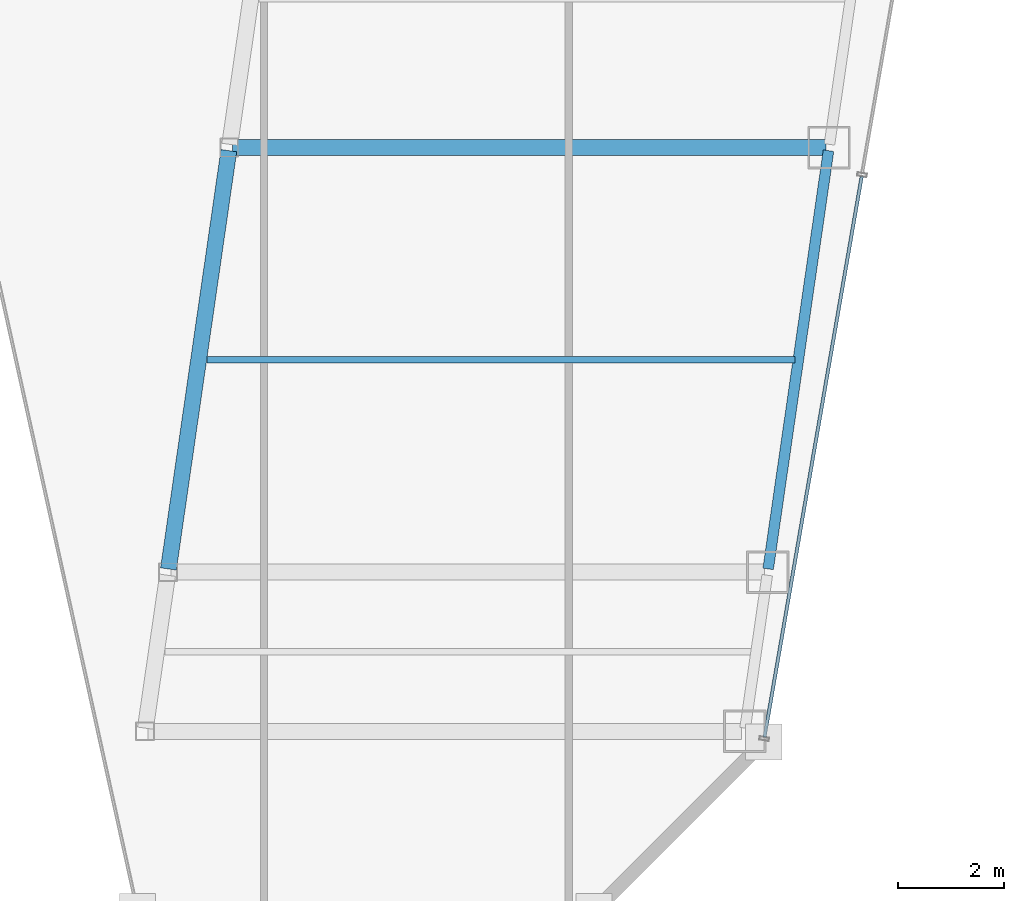
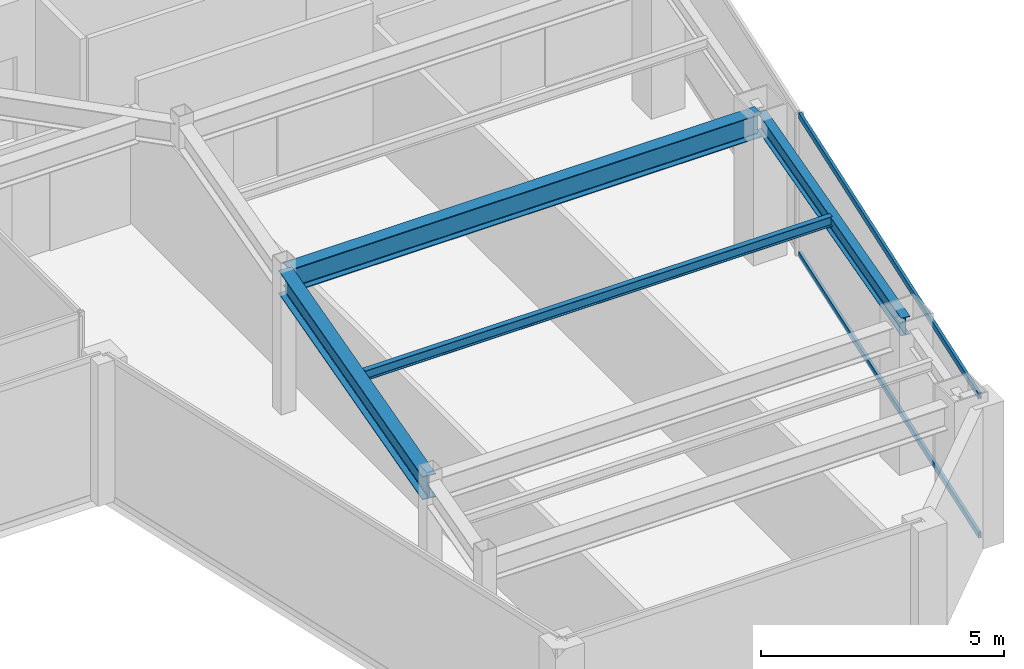
# One storey, part 15 of 32: 4 beams, 2 members, 1 element without a shape of its own.
"""IFC4 building model written with IfcOpenShell, lengths in metres."""

from ifc_helpers import new_model, si_unit, direction, frame, origin, origin_2d, place, context, subcontext, project, spatial, hollow_rectangle, i_section, extrude, material, material_profile, profile_set, type_object, element, aggregate, save


model = new_model("IFC4")

# Units and contexts
model_context = context("Model", 3, precision=1e-05, world=origin(), true_north=direction((0.0, 1.0)))
body_context = subcontext(model_context, "Body", "Model", "MODEL_VIEW")
ifc_project = project(units=[si_unit("LENGTHUNIT", "METRE"), si_unit("AREAUNIT", "SQUARE_METRE"), si_unit("VOLUMEUNIT", "CUBIC_METRE"), si_unit("PLANEANGLEUNIT", "RADIAN"), si_unit("MASSUNIT", "GRAM", prefix="KILO")], contexts=[model_context])

# Site, building, storey
site_placement = place(None, origin())
site = spatial("IfcSite", under=ifc_project, at=site_placement, CompositionType="ELEMENT")
building_placement = place(site_placement, origin())
building = spatial("IfcBuilding", under=site, at=building_placement, Name="Saevonmaru Cultural Tower", CompositionType="ELEMENT")
storey_placement = place(building_placement, frame((0.0, 0.0, 242.0)))
storey = spatial("IfcBuildingStorey", under=building, at=storey_placement, Name="L56", CompositionType="ELEMENT", Elevation=242.0)

# Beams
ifc_material_1 = material(Name="Steel SM355", Category="steel")
ifc_material_profile_1 = material_profile(ifc_material_1, i_section(OverallWidth=0.300048828125, OverallDepth=0.587890625, WebThickness=0.011962890625, FlangeThickness=0.02001953125, FilletRadius=0.02392578125, at=origin_2d()), Name="H-588x300x12x20")
ifc_profile_set_1 = profile_set([ifc_material_profile_1], Name="Steel SM355")
beam_type_1 = type_object("IfcBeamType", Name="BM-G-H588", PredefinedType="BEAM", material=ifc_profile_set_1)
beam_1_placement = place(storey_placement, frame((39.236572265625, 24.059326171875, 3.256103515625), z_axis=(0.142902032203, 0.989736838353, 0.0), x_axis=(-0.989736838353, 0.142902032203, 0.0)))
element("IfcBeam", 1, at=beam_1_placement, inside=storey, type_object=beam_type_1, Name="L56 East Atrium Girder 2", PredefinedType="BEAM", context=body_context, shape_type="SweptSolid", body=[
    extrude(i_section(OverallWidth=0.300048828125, OverallDepth=0.587890625, WebThickness=0.011962890625, FlangeThickness=0.02001953125, FilletRadius=0.02392578125, at=origin_2d()), origin(), (0.0, 0.0, 1.0), 7.963134765625),
])
beam_2_placement = place(storey_placement, frame((40.443115234375, 32.0, 3.256103515625), z_axis=(1.0, 0.0, 0.0), x_axis=(0.0, 1.0, 0.0)))
element("IfcBeam", 2, at=beam_2_placement, inside=storey, type_object=beam_type_1, Name="L56 East Wing Transverse Girder 3", PredefinedType="BEAM", context=body_context, shape_type="SweptSolid", body=[
    extrude(i_section(OverallWidth=0.300048828125, OverallDepth=0.587890625, WebThickness=0.011962890625, FlangeThickness=0.02001953125, FilletRadius=0.02392578125, at=origin_2d()), origin(), (0.0, 0.0, 1.0), 11.179931640625),
])
ifc_material_profile_2 = material_profile(ifc_material_1, i_section(OverallWidth=0.125, OverallDepth=0.25, WebThickness=0.006103515625, FlangeThickness=0.009033203125, FilletRadius=0.008056640625, at=origin_2d()), Name="H-250x125x6x9")
ifc_profile_set_2 = profile_set([ifc_material_profile_2], Name="Steel SM355")
beam_type_2 = type_object("IfcBeamType", Name="BM-J-H250", PredefinedType="JOIST", material=ifc_profile_set_2)
beam_3_placement = place(storey_placement, frame((39.96337890625, 28.0, 3.425048828125), z_axis=(1.0, 0.0, 0.0), x_axis=(0.0, 1.0, 0.0)))
element("IfcBeam", 3, at=beam_3_placement, inside=storey, type_object=beam_type_2, Name="L56 East Wing Floor Joist 2", PredefinedType="JOIST", context=body_context, shape_type="SweptSolid", body=[
    extrude(i_section(OverallWidth=0.125, OverallDepth=0.25, WebThickness=0.006103515625, FlangeThickness=0.009033203125, FilletRadius=0.008056640625, at=origin_2d()), origin(), (0.0, 0.0, 1.0), 11.08203125),
])
ifc_material_profile_3 = material_profile(ifc_material_1, i_section(OverallWidth=0.199951171875, OverallDepth=0.449951171875, WebThickness=0.009033203125, FlangeThickness=0.013916015625, FilletRadius=0.01806640625, at=origin_2d()), Name="H-450x200x9x14")
ifc_profile_set_3 = profile_set([ifc_material_profile_3], Name="Steel SM355")
beam_type_3 = type_object("IfcBeamType", Name="BM-SP-H450", PredefinedType="SPANDREL", material=ifc_profile_set_3)
beam_4_placement = place(storey_placement, frame((50.53662109375, 24.059326171875, 3.324951171875), z_axis=(0.142871999001, 0.989741174197, 0.0), x_axis=(-0.989741174197, 0.142871999001, 0.0)))
element("IfcBeam", 4, at=beam_4_placement, inside=storey, type_object=beam_type_3, Name="L56 East Splayed Spandrel 2", PredefinedType="SPANDREL", context=body_context, shape_type="SweptSolid", body=[
    extrude(i_section(OverallWidth=0.199951171875, OverallDepth=0.449951171875, WebThickness=0.009033203125, FlangeThickness=0.013916015625, FilletRadius=0.01806640625, at=origin_2d()), origin(), (0.0, 0.0, 1.0), 7.963134765625),
])

# Curtain wall, members
ifc_material_2 = material(Name="Satin Bronze Anodised Aluminium", Category="aluminium")
curtain_wall_type = type_object("IfcCurtainWallType", Name="CW-TYP-B", PredefinedType="NOTDEFINED", material=ifc_material_2)
curtain_wall_placement = place(storey_placement, origin())
curtain_wall = element("IfcCurtainWall", 5, at=curtain_wall_placement, inside=storey, type_object=curtain_wall_type, Name="L56 Unitised Curtain Wall E8", PredefinedType="NOTDEFINED")
ifc_material_profile_4 = material_profile(ifc_material_2, hollow_rectangle(XDim=0.06494140625, YDim=0.14990234375, WallThickness=0.00390625, at=origin_2d()), Name="ALU-TRAN-150x65x4")
ifc_profile_set_4 = profile_set([ifc_material_profile_4], Name="Satin Bronze Anodised Aluminium")
member_type = type_object("IfcMemberType", Name="TR-CW-150x65", PredefinedType="USERDEFINED", material=ifc_profile_set_4)
member_1_placement = place(storey_placement, frame((50.468994140625, 20.89111328125, 0.032470703125), z_axis=(0.170795272137, 0.985306538604, 0.0), x_axis=(-0.985306538604, 0.170795272137, 0.0)))
member_1 = element("IfcMember", 6, at=member_1_placement, type_object=member_type, Name="CW-TW-L56-E8 transom 1.1", ObjectType="TRANSOM", PredefinedType="USERDEFINED", context=body_context, shape_type="SweptSolid", body=[
    extrude(hollow_rectangle(XDim=0.06494140625, YDim=0.14990234375, WallThickness=0.00390625, at=origin_2d()), origin(), (0.0, 0.0, 1.0), 10.720703125),
])
member_2_placement = place(storey_placement, frame((50.468994140625, 20.89111328125, 3.517578125), z_axis=(0.170795272137, 0.985306538604, 0.0), x_axis=(-0.985306538604, 0.170795272137, 0.0)))
member_2 = element("IfcMember", 7, at=member_2_placement, type_object=member_type, Name="CW-TW-L56-E8 transom 1.2", ObjectType="TRANSOM", PredefinedType="USERDEFINED", context=body_context, shape_type="SweptSolid", body=[
    extrude(hollow_rectangle(XDim=0.06494140625, YDim=0.14990234375, WallThickness=0.00390625, at=origin_2d()), origin(), (0.0, 0.0, 1.0), 10.720703125),
])
aggregate(curtain_wall, [member_1, member_2])

save(model, "model.ifc")
